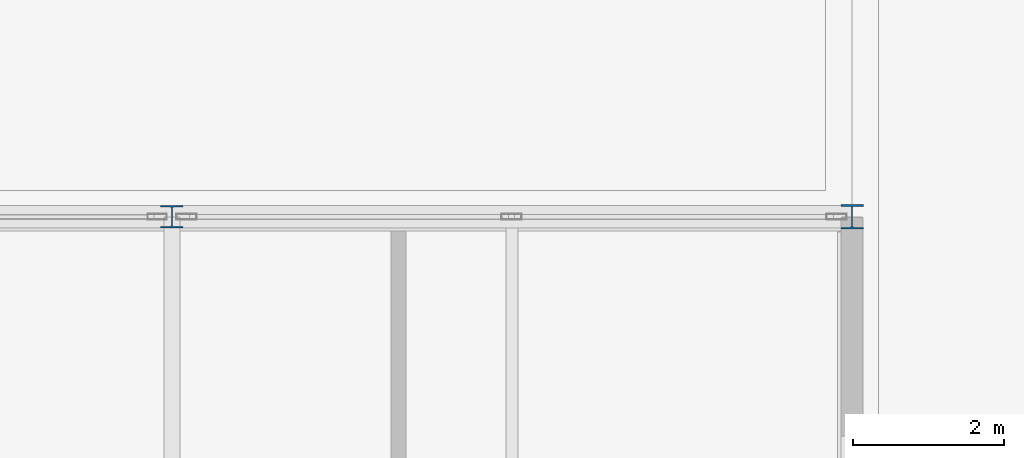
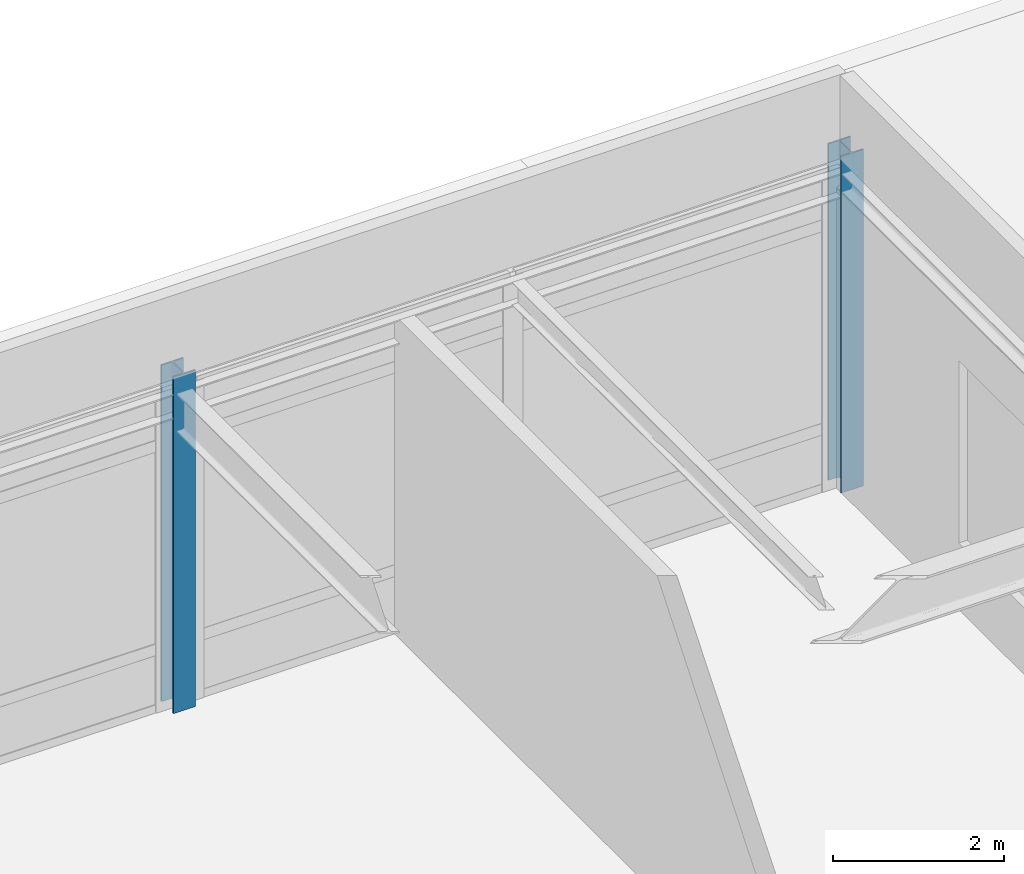
# One storey, part 11 of 43: 2 columns.
"""IFC4 building model written with IfcOpenShell, lengths in metres."""

from ifc_helpers import new_model, si_unit, direction, frame, origin, origin_2d, place, context, subcontext, project, spatial, i_section, extrude, material, material_profile, profile_set, type_object, element, save


model = new_model("IFC4")

# Units and contexts
model_context = context("Model", 3, precision=1e-05, world=origin(), true_north=direction((0.0, 1.0)))
body_context = subcontext(model_context, "Body", "Model", "MODEL_VIEW")
ifc_project = project(units=[si_unit("LENGTHUNIT", "METRE"), si_unit("AREAUNIT", "SQUARE_METRE"), si_unit("VOLUMEUNIT", "CUBIC_METRE"), si_unit("PLANEANGLEUNIT", "RADIAN"), si_unit("MASSUNIT", "GRAM", prefix="KILO")], contexts=[model_context])

# Site, building, storey
site_placement = place(None, origin())
site = spatial("IfcSite", under=ifc_project, at=site_placement, CompositionType="ELEMENT")
building_placement = place(site_placement, origin())
building = spatial("IfcBuilding", under=site, at=building_placement, Name="Shalkamar Park Central Library", CompositionType="ELEMENT")
storey_placement = place(building_placement, frame((0.0, 0.0, 15.60009765625)))
storey = spatial("IfcBuildingStorey", under=building, at=storey_placement, Name="L04", CompositionType="ELEMENT", Elevation=15.60009765625)

# Columns
ifc_material = material(Name="Steel S355", Category="steel")
ifc_material_profile_1 = material_profile(ifc_material, i_section(OverallWidth=0.300048828125, OverallDepth=0.300048828125, WebThickness=0.010986328125, FlangeThickness=0.01904296875, FilletRadius=0.027099609375, at=origin_2d()), Name="HEB 300")
ifc_profile_set_1 = profile_set([ifc_material_profile_1], Name="Steel S355")
column_type_1 = type_object("IfcColumnType", Name="Column Steel HEB300", PredefinedType="COLUMN", material=ifc_profile_set_1)
column_1_placement = place(storey_placement, frame((255.0, 316.0, 0.0), z_axis=(0.0, 0.0, 1.0), x_axis=(1.0, 0.0, 0.0)))
element("IfcColumn", 1, at=column_1_placement, inside=storey, type_object=column_type_1, Name="Column 18/L (L04)", PredefinedType="COLUMN", context=body_context, shape_type="SweptSolid", body=[
    extrude(i_section(OverallWidth=0.300048828125, OverallDepth=0.300048828125, WebThickness=0.010986328125, FlangeThickness=0.01904296875, FilletRadius=0.027099609375, at=origin_2d()), origin(), (0.0, 0.0, 1.0), 4.7998046875),
])
ifc_material_profile_2 = material_profile(ifc_material, i_section(OverallWidth=0.300048828125, OverallDepth=0.320068359375, WebThickness=0.011474609375, FlangeThickness=0.0205078125, FilletRadius=0.027099609375, at=origin_2d()), Name="HEB 320")
ifc_profile_set_2 = profile_set([ifc_material_profile_2], Name="Steel S355")
column_type_2 = type_object("IfcColumnType", Name="Column Steel HEB320", PredefinedType="COLUMN", material=ifc_profile_set_2)
column_2_placement = place(storey_placement, frame((264.0, 316.0, 0.0), z_axis=(0.0, 0.0, 1.0), x_axis=(1.0, 0.0, 0.0)))
element("IfcColumn", 2, at=column_2_placement, inside=storey, type_object=column_type_2, Name="Column 19/L (L04)", PredefinedType="COLUMN", context=body_context, shape_type="SweptSolid", body=[
    extrude(i_section(OverallWidth=0.300048828125, OverallDepth=0.320068359375, WebThickness=0.011474609375, FlangeThickness=0.0205078125, FilletRadius=0.027099609375, at=origin_2d()), origin(), (0.0, 0.0, 1.0), 4.7998046875),
])

save(model, "model.ifc")
